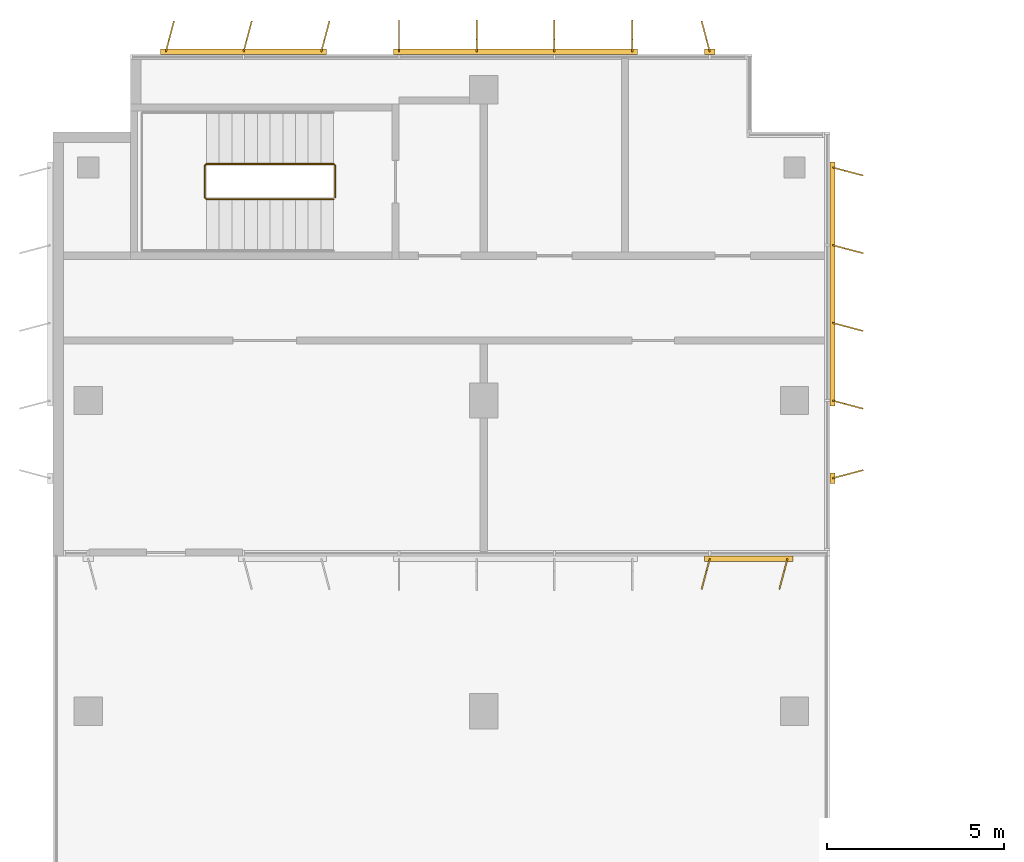
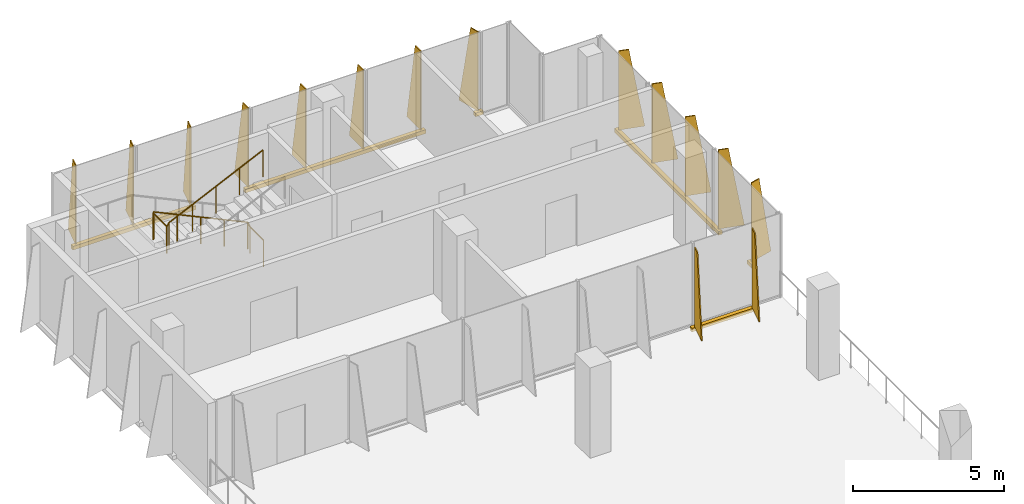
# One storey, part 15 of 15: 6 shading devices, 1 railing.
"""IFC4 building model written with IfcOpenShell, lengths in metres."""

import ifcopenshell
import ifcopenshell.guid

model = None  # the IFC model being written
_history = None  # IfcOwnerHistory: only IFC2X3 demands one
_inside = {}  # id of a spatial element -> (the spatial element, [elements in it])
_under = {}  # id of a project, library or spatial element -> (it, [spatial elements below it])
_declared = {}  # id of a project -> (the project, [libraries it declares])
_typed = {}  # id of a type object -> (the type object, [elements of that type])
_made_of = {}  # id of a material, layer set ... -> (it, [elements and type objects made of it])


def new_model(schema):
    """Start an empty IFC model of exactly this schema.

    Asked for "IFC4X3", IfcOpenShell would pick the latest addendum, in which some entities
    have other attributes; the version numbers below select the first issue.
    IFC2X3 requires an IfcOwnerHistory on every rooted entity: one is made here for all.
    """
    global model, _history
    if schema == "IFC4X3":
        model = ifcopenshell.file(schema_version=(4, 3, 0, 0))
    else:
        model = ifcopenshell.file(schema=schema)
    _inside.clear()
    _under.clear()
    _declared.clear()
    _typed.clear()
    _made_of.clear()
    _history = None
    if model.schema == "IFC2X3":
        org = make("IfcOrganization", Name="unknown")
        user = make(
            "IfcPersonAndOrganization",
            ThePerson=make("IfcPerson", FamilyName="unknown"),
            TheOrganization=org,
        )
        app = make(
            "IfcApplication",
            ApplicationDeveloper=org,
            Version="unknown",
            ApplicationFullName="unknown",
            ApplicationIdentifier="unknown",
        )
        _history = make(
            "IfcOwnerHistory",
            OwningUser=user,
            OwningApplication=app,
            ChangeAction="ADDED",
            CreationDate=0,
        )
    return model


def make(cls, **values):
    """One entity of the class cls with the attributes given. An attribute that is None is left unset."""
    return model.create_entity(
        cls, **{name: value for name, value in values.items() if value is not None}
    )


def rooted(cls, **values):
    """An entity with a GlobalId (a new one), such as an element, a storey or a relation."""
    return make(cls, GlobalId=ifcopenshell.guid.new(), OwnerHistory=_history, **values)


def si_unit(unit_type, name, prefix=None):
    """IfcSIUnit, for example si_unit("LENGTHUNIT", "METRE", prefix="MILLI")."""
    return make("IfcSIUnit", UnitType=unit_type, Prefix=prefix, Name=name)


def assignment(units):
    """IfcUnitAssignment: the units of a project."""
    return None if units is None else make("IfcUnitAssignment", Units=units)


def point(xyz):
    """IfcCartesianPoint."""
    return None if xyz is None else make("IfcCartesianPoint", Coordinates=xyz)


def direction(xyz):
    """IfcDirection."""
    return None if xyz is None else make("IfcDirection", DirectionRatios=xyz)


def frame(location, z_axis=None, x_axis=None):
    """IfcAxis2Placement3D, a coordinate frame: its origin and axes. An axis left out is left unset."""
    return make(
        "IfcAxis2Placement3D",
        Location=point(location),
        Axis=direction(z_axis),
        RefDirection=direction(x_axis),
    )


def frame_2d(location, x_axis=None):
    """IfcAxis2Placement2D, a coordinate frame in the plane: its origin and x axis."""
    return make(
        "IfcAxis2Placement2D", Location=point(location), RefDirection=direction(x_axis)
    )


def origin():
    """The frame at (0, 0, 0) with its axes left unset."""
    return frame((0.0, 0.0, 0.0))


def origin_2d():
    """The frame at (0, 0) in the plane with its x axis left unset."""
    return frame_2d((0.0, 0.0))


def place(relative_to, where):
    """IfcLocalPlacement: puts the frame where relative to a parent placement (None: the world)."""
    return make(
        "IfcLocalPlacement", PlacementRelTo=relative_to, RelativePlacement=where
    )


def context(
    kind, dimensions, precision=None, world=None, true_north=None, identifier=None
):
    """IfcGeometricRepresentationContext, for example the 3D "Model" context."""
    return make(
        "IfcGeometricRepresentationContext",
        ContextIdentifier=identifier,
        ContextType=kind,
        CoordinateSpaceDimension=dimensions,
        Precision=precision,
        WorldCoordinateSystem=world,
        TrueNorth=true_north,
    )


def subcontext(parent, identifier, kind, view, scale=None):
    """IfcGeometricRepresentationSubContext, for example "Body" below "Model"."""
    return make(
        "IfcGeometricRepresentationSubContext",
        ContextIdentifier=identifier,
        ContextType=kind,
        ParentContext=parent,
        TargetScale=scale,
        TargetView=view,
    )


def project(units=None, contexts=None):
    """IfcProject with its units and contexts."""
    return rooted(
        "IfcProject",
        Name="project",
        RepresentationContexts=contexts,
        UnitsInContext=assignment(units),
    )


def spatial(cls, under=None, at=None, **own):
    """A site, building, storey or space (cls), placed at a placement, below another one or the project."""
    s = rooted(cls, ObjectPlacement=at, **own)
    if under is not None:
        _under.setdefault(under.id(), (under, []))[1].append(s)
    return s


def polyline(points):
    """IfcPolyline through the points."""
    return make("IfcPolyline", Points=[point(p) for p in points])


def profile(cls, at=None, kind="AREA", **sizes):
    """A parametric profile (cls). Its sizes go by their IFC names, for example OverallWidth=200.0."""
    return make(cls, ProfileType=kind, Position=at, **sizes)


def rectangle(**sizes):
    """IfcRectangleProfileDef."""
    return profile("IfcRectangleProfileDef", **sizes)


def circle(**sizes):
    """IfcCircleProfileDef."""
    return profile("IfcCircleProfileDef", **sizes)


def outline(outer, holes=None, kind="AREA"):
    """IfcArbitraryClosedProfileDef: a profile drawn as a closed curve; with holes, ...WithVoids."""
    if holes is None:
        return make("IfcArbitraryClosedProfileDef", ProfileType=kind, OuterCurve=outer)
    return make(
        "IfcArbitraryProfileDefWithVoids",
        ProfileType=kind,
        OuterCurve=outer,
        InnerCurves=holes,
    )


def extrude(swept, where, along, depth):
    """IfcExtrudedAreaSolid: the profile swept, set in the frame where, extruded along a direction by depth."""
    return make(
        "IfcExtrudedAreaSolid",
        SweptArea=swept,
        Position=where,
        ExtrudedDirection=direction(along),
        Depth=depth,
    )


def shape(context_of_items, identifier, shape_type, items):
    """IfcShapeRepresentation: the items that make up one representation, for example the "Body"."""
    return make(
        "IfcShapeRepresentation",
        ContextOfItems=context_of_items,
        RepresentationIdentifier=identifier,
        RepresentationType=shape_type,
        Items=items,
    )


def source(mapping_origin, context_of_items, identifier, shape_type, items):
    """IfcRepresentationMap: a shape defined once, which mapped items show again and again."""
    return make(
        "IfcRepresentationMap",
        MappingOrigin=mapping_origin,
        MappedRepresentation=shape(context_of_items, identifier, shape_type, items),
    )


def transform(
    local_origin,
    x_axis=None,
    y_axis=None,
    z_axis=None,
    scale=None,
    scale2=None,
    scale3=None,
    uniform=True,
):
    """IfcCartesianTransformationOperator3D, or its non-uniform kind. x_axis, y_axis, z_axis: its Axis1, 2, 3."""
    if uniform:
        return make(
            "IfcCartesianTransformationOperator3D",
            Axis1=direction(x_axis),
            Axis2=direction(y_axis),
            LocalOrigin=point(local_origin),
            Scale=scale,
            Axis3=direction(z_axis),
        )
    return make(
        "IfcCartesianTransformationOperator3DnonUniform",
        Axis1=direction(x_axis),
        Axis2=direction(y_axis),
        LocalOrigin=point(local_origin),
        Scale=scale,
        Axis3=direction(z_axis),
        Scale2=scale2,
        Scale3=scale3,
    )


def mapped(mapping_source, mapping_target):
    """IfcMappedItem: shows the shape of a source again, moved by a transform."""
    return make(
        "IfcMappedItem", MappingSource=mapping_source, MappingTarget=mapping_target
    )


def material(Name=None, Category=None):
    """IfcMaterial."""
    return make("IfcMaterial", Name=Name, Category=Category)


def layer(
    of_material, thickness, ventilated=None, Name=None, Category=None, Priority=None
):
    """IfcMaterialLayer: one layer of a wall or slab, of a material (None: an air gap)."""
    return make(
        "IfcMaterialLayer",
        Material=of_material,
        LayerThickness=thickness,
        IsVentilated=ventilated,
        Name=Name,
        Category=Category,
        Priority=Priority,
    )


def layer_set(layers, Name=None):
    """IfcMaterialLayerSet."""
    return make("IfcMaterialLayerSet", MaterialLayers=layers, LayerSetName=Name)


def made_of(thing, what):
    """Note that an element or type object is made of a material, layer set ...; save() writes the relation."""
    if what is not None:
        _made_of.setdefault(what.id(), (what, []))[1].append(thing)
    return thing


def type_object(cls, material=None, **own):
    """A type object (cls), such as IfcWallType, which elements share."""
    return made_of(rooted(cls, **own), material)


def element(
    cls,
    number,
    at=None,
    inside=None,
    cuts=None,
    type_object=None,
    material=None,
    context=None,
    identifier="Body",
    shape_type=None,
    held_by="IfcProductDefinitionShape",
    body=None,
    shapes=None,
    **own,
):
    """One element of the class cls, such as IfcWall. Its Tag is "e" and its number.

    at: its placement. inside: the storey or other place that contains it. cuts: it is an
    opening in that element (IfcRelVoidsElement). A single representation is given by context,
    identifier, shape_type and body (its items); several are given by shapes. held_by: the class
    of the entity that holds the representations. save() writes the other relations.
    """
    e = rooted(cls, Tag="e%d" % number, ObjectPlacement=at, **own)
    if body is not None:
        shapes = [shape(context, identifier, shape_type, body)]
    if shapes is not None:
        e.Representation = make(held_by, Representations=shapes)
    if inside is not None:
        _inside.setdefault(inside.id(), (inside, []))[1].append(e)
    if cuts is not None:
        rooted(
            "IfcRelVoidsElement", RelatingBuildingElement=cuts, RelatedOpeningElement=e
        )
    if type_object is not None:
        _typed.setdefault(type_object.id(), (type_object, []))[1].append(e)
    return made_of(e, material)


def aggregate(whole, parts):
    """IfcRelAggregates: a whole, such as a stair, and the parts it consists of."""
    return rooted("IfcRelAggregates", RelatingObject=whole, RelatedObjects=parts)


def save(model, path):
    """Write the relations noted so far, then the file.

    IfcRelAggregates (storeys below a building ...), IfcRelContainedInSpatialStructure (elements
    in a storey), IfcRelDefinesByType, IfcRelAssociatesMaterial and IfcRelDeclares: one each for
    every whole, place, type object, material and project.
    """
    for whole, parts in _under.values():
        aggregate(whole, parts)
    for where, things in _inside.values():
        rooted(
            "IfcRelContainedInSpatialStructure",
            RelatedElements=things,
            RelatingStructure=where,
        )
    for kind, things in _typed.values():
        rooted("IfcRelDefinesByType", RelatedObjects=things, RelatingType=kind)
    for what, things in _made_of.values():
        rooted("IfcRelAssociatesMaterial", RelatedObjects=things, RelatingMaterial=what)
    for by, libraries in _declared.values():
        rooted("IfcRelDeclares", RelatingContext=by, RelatedDefinitions=libraries)
    model.write(path)


model = new_model("IFC4")

# Units and contexts
model_context = context("Model", 3, precision=1e-05, world=origin(), true_north=direction((0.0, 1.0)))
body_context = subcontext(model_context, "Body", "Model", "MODEL_VIEW")
ifc_project = project(units=[si_unit("LENGTHUNIT", "METRE"), si_unit("AREAUNIT", "SQUARE_METRE"), si_unit("VOLUMEUNIT", "CUBIC_METRE"), si_unit("PLANEANGLEUNIT", "RADIAN"), si_unit("MASSUNIT", "GRAM", prefix="KILO")], contexts=[model_context])

# Site, building, storey
site_placement = place(None, origin())
site = spatial("IfcSite", under=ifc_project, at=site_placement, CompositionType="ELEMENT")
building_placement = place(site_placement, origin())
building = spatial("IfcBuilding", under=site, at=building_placement, Name="Kemantara Hotel Tower", CompositionType="ELEMENT")
storey_placement = place(building_placement, frame((0.0, 0.0, 241.300048828125)))
storey = spatial("IfcBuildingStorey", under=building, at=storey_placement, Name="L60", CompositionType="ELEMENT", Elevation=241.300048828125)

# Railing
ifc_material_1 = material(Name="Stainless steel balustrade", Category="steel")
railing_type = type_object("IfcRailingType", Name="Stair guard 1100 mm", PredefinedType="GUARDRAIL", material=ifc_material_1)
railing_placement = place(storey_placement, frame((7.949951171875, 59.5, 3.699951171875)))
element("IfcRailing", 1, at=railing_placement, inside=storey, type_object=railing_type, Name="L60 ST4 stair guard 1", PredefinedType="GUARDRAIL", context=body_context, shape_type="SweptSolid", body=[
    extrude(circle(Radius=0.02392578125, at=origin_2d()), frame((0.0, 0.0, 1.076171875), z_axis=(-0.905994681025, 0.0, -0.423289071386), x_axis=(0.0, -1.0, 0.0)), (0.0, 0.0, 1.0), 3.973388671875),
    extrude(circle(Radius=0.02392578125, at=origin_2d()), frame((-3.599853515625, 0.0, -0.60595703125), z_axis=(-0.274243871929, 0.274243871929, -0.92172696468), x_axis=(-0.707106781187, -0.707106781187, 0.0)), (0.0, 0.0, 1.0), 0.1826171875),
    extrude(circle(Radius=0.02392578125, at=origin_2d()), frame((-3.64990234375, 0.050048828125, -0.77392578125), z_axis=(0.0, 1.0, 0.0), x_axis=(-1.0, 0.0, 0.0)), (0.0, 0.0, 1.0), 0.89990234375),
    extrude(circle(Radius=0.02392578125, at=origin_2d()), frame((-3.64990234375, 0.949951171875, -0.77392578125), z_axis=(0.707106781187, 0.707106781187, 0.0), x_axis=(-0.707106781187, 0.707106781187, 0.0)), (0.0, 0.0, 1.0), 0.07080078125),
    extrude(circle(Radius=0.02392578125, at=origin_2d()), frame((-3.599853515625, 1.0, -0.77392578125), z_axis=(0.906018243939, 0.0, -0.423238634402), x_axis=(0.0, 1.0, 0.0)), (0.0, 0.0, 1.0), 3.973388671875),
    extrude(circle(Radius=0.02392578125, at=origin_2d()), frame((0.0, 1.0, -2.45556640625), z_axis=(0.274243871929, -0.274243871929, -0.92172696468), x_axis=(0.707106781187, 0.707106781187, 0.0)), (0.0, 0.0, 1.0), 0.1826171875),
    extrude(circle(Radius=0.02392578125, at=origin_2d()), frame((0.050048828125, 0.949951171875, -2.6240234375), z_axis=(0.0, -1.0, 0.0), x_axis=(1.0, 0.0, 0.0)), (0.0, 0.0, 1.0), 0.89990234375),
    extrude(circle(Radius=0.02099609375, at=origin_2d()), origin(), (0.0, 0.0, 1.0), 1.052001953125),
    extrude(circle(Radius=0.02099609375, at=origin_2d()), frame((-0.89990234375, 0.0, -0.42041015625)), (0.0, 0.0, 1.0), 1.052001953125),
    extrude(circle(Radius=0.02099609375, at=origin_2d()), frame((-1.7998046875, 0.0, -0.8408203125)), (0.0, 0.0, 1.0), 1.052001953125),
    extrude(circle(Radius=0.02099609375, at=origin_2d()), frame((-2.699951171875, 0.0, -1.261474609375)), (0.0, 0.0, 1.0), 1.052001953125),
    extrude(circle(Radius=0.02099609375, at=origin_2d()), frame((-3.599853515625, 0.0, -1.681884765625)), (0.0, 0.0, 1.0), 1.052001953125),
    extrude(circle(Radius=0.02099609375, at=origin_2d()), frame((-3.64990234375, 0.050048828125, -1.85009765625)), (0.0, 0.0, 1.0), 1.052001953125),
    extrude(circle(Radius=0.02099609375, at=origin_2d()), frame((-3.64990234375, 0.949951171875, -1.85009765625)), (0.0, 0.0, 1.0), 1.052001953125),
    extrude(circle(Radius=0.02099609375, at=origin_2d()), frame((-3.599853515625, 1.0, -1.85009765625)), (0.0, 0.0, 1.0), 1.052001953125),
    extrude(circle(Radius=0.02099609375, at=origin_2d()), frame((-2.699951171875, 1.0, -2.2705078125)), (0.0, 0.0, 1.0), 1.052001953125),
    extrude(circle(Radius=0.02099609375, at=origin_2d()), frame((-1.7998046875, 1.0, -2.69091796875)), (0.0, 0.0, 1.0), 1.052001953125),
    extrude(circle(Radius=0.02099609375, at=origin_2d()), frame((-0.89990234375, 1.0, -3.111328125)), (0.0, 0.0, 1.0), 1.052001953125),
    extrude(circle(Radius=0.02099609375, at=origin_2d()), frame((0.0, 1.0, -3.53173828125)), (0.0, 0.0, 1.0), 1.052001953125),
    extrude(circle(Radius=0.02099609375, at=origin_2d()), frame((0.050048828125, 0.949951171875, -3.699951171875)), (0.0, 0.0, 1.0), 1.052001953125),
    extrude(circle(Radius=0.02099609375, at=origin_2d()), frame((0.050048828125, 0.050048828125, -3.699951171875)), (0.0, 0.0, 1.0), 1.052001953125),
])

# Shading devices
ifc_material_2 = material(Name="Perforated aluminium plate 4 mm bronze anodised", Category="aluminium")
ifc_layer_1 = layer(ifc_material_2, 0.0400390625)
ifc_layer_set_1 = layer_set([ifc_layer_1], Name="Perforated aluminium plate 4 mm bronze anodised")
shading_device_type_1 = type_object("IfcShadingDeviceType", Name="SCREEN FIN CASSETTE, 3 BLADES AT -15.0 DEG, 3200 HIGH", PredefinedType="USERDEFINED", material=ifc_layer_set_1)
shared_shape_1 = source(origin(), body_context, "Body", "SweptSolid", [
    extrude(rectangle(XDim=4.699951171875, YDim=0.14990234375, at=origin_2d()), frame((2.199951171875, -0.074951171875, -0.14990234375), z_axis=(0.0, 0.0, 1.0), x_axis=(1.0, 0.0, 0.0)), (0.0, 0.0, 1.0), 0.14990234375),
    extrude(outline(polyline([(0.0, 0.0), (0.89990234375, 0.0), (0.35009765625, 3.199951171875), (0.0, 3.199951171875), (0.0, 0.0)])), frame((0.019287109375, -0.080078125, 0.0), z_axis=(-0.966437683387, 0.256901156343, 0.0), x_axis=(-0.256901156343, -0.966437683387, 0.0)), (0.0, 0.0, 1.0), 0.039794921875),
    extrude(outline(polyline([(0.0, 0.0), (0.89990234375, 0.0), (0.35009765625, 3.199951171875), (0.0, 3.199951171875), (0.0, 0.0)])), frame((2.21923828125, -0.080078125, 0.0), z_axis=(-0.966437683387, 0.256901156343, 0.0), x_axis=(-0.256901156343, -0.966437683387, 0.0)), (0.0, 0.0, 1.0), 0.039794921875),
    extrude(outline(polyline([(0.0, 0.0), (0.89990234375, 0.0), (0.35009765625, 3.199951171875), (0.0, 3.199951171875), (0.0, 0.0)])), frame((4.41943359375, -0.080078125, 0.0), z_axis=(-0.966837822169, 0.255391122837, 0.0), x_axis=(-0.255391122837, -0.966837822169, 0.0)), (0.0, 0.0, 1.0), 0.0400390625),
])
shading_device_1_placement = place(storey_placement, frame((7.60009765625, 63.60009765625, 0.099853515625), z_axis=(0.0, 0.0, 1.0), x_axis=(-1.0, 0.0, 0.0)))
element("IfcShadingDevice", 2, at=shading_device_1_placement, inside=storey, type_object=shading_device_type_1, Name="SCREEN FIN CASSETTE L60 T4P-R16-3", ObjectType="SCREEN FIN", PredefinedType="USERDEFINED", context=body_context, shape_type="MappedRepresentation", body=[
    mapped(shared_shape_1, transform((0.0, 0.0, 0.0))),
])
ifc_layer_2 = layer(ifc_material_2, 0.0400390625)
ifc_layer_set_2 = layer_set([ifc_layer_2], Name="Perforated aluminium plate 4 mm bronze anodised")
shading_device_type_2 = type_object("IfcShadingDeviceType", Name="SCREEN FIN CASSETTE, 4 BLADES AT +0.0 DEG, 3200 HIGH", PredefinedType="USERDEFINED", material=ifc_layer_set_2)
shared_shape_2 = source(origin(), body_context, "Body", "SweptSolid", [
    extrude(rectangle(XDim=6.89990234375, YDim=0.14990234375, at=origin_2d()), frame((3.300048828125, -0.074951171875, -0.14990234375), z_axis=(0.0, 0.0, 1.0), x_axis=(1.0, 0.0, 0.0)), (0.0, 0.0, 1.0), 0.14990234375),
    extrude(outline(polyline([(0.0, 0.0), (0.89990234375, 0.0), (0.35009765625, 3.199951171875), (0.0, 3.199951171875), (0.0, 0.0)])), frame((0.02001953125, -0.074951171875, 0.0), z_axis=(-1.0, 0.0, 0.0), x_axis=(0.0, -1.0, 0.0)), (0.0, 0.0, 1.0), 0.0400390625),
    extrude(outline(polyline([(0.0, 0.0), (0.89990234375, 0.0), (0.35009765625, 3.199951171875), (0.0, 3.199951171875), (0.0, 0.0)])), frame((2.219970703125, -0.074951171875, 0.0), z_axis=(-1.0, 0.0, 0.0), x_axis=(0.0, -1.0, 0.0)), (0.0, 0.0, 1.0), 0.0400390625),
    extrude(outline(polyline([(0.0, 0.0), (0.89990234375, 0.0), (0.35009765625, 3.199951171875), (0.0, 3.199951171875), (0.0, 0.0)])), frame((4.419921875, -0.074951171875, 0.0), z_axis=(-1.0, 0.0, 0.0), x_axis=(0.0, -1.0, 0.0)), (0.0, 0.0, 1.0), 0.0400390625),
    extrude(outline(polyline([(0.0, 0.0), (0.89990234375, 0.0), (0.35009765625, 3.199951171875), (0.0, 3.199951171875), (0.0, 0.0)])), frame((6.6201171875, -0.074951171875, 0.0), z_axis=(-1.0, 0.0, 0.0), x_axis=(0.0, -1.0, 0.0)), (0.0, 0.0, 1.0), 0.0400390625),
])
shading_device_2_placement = place(storey_placement, frame((16.39990234375, 63.60009765625, 0.099853515625), z_axis=(0.0, 0.0, 1.0), x_axis=(-1.0, 0.0, 0.0)))
element("IfcShadingDevice", 3, at=shading_device_2_placement, inside=storey, type_object=shading_device_type_2, Name="SCREEN FIN CASSETTE L60 T4P-R16-2", ObjectType="SCREEN FIN", PredefinedType="USERDEFINED", context=body_context, shape_type="MappedRepresentation", body=[
    mapped(shared_shape_2, transform((0.0, 0.0, 0.0))),
])
ifc_layer_3 = layer(ifc_material_2, 0.0400390625)
ifc_layer_set_3 = layer_set([ifc_layer_3], Name="Perforated aluminium plate 4 mm bronze anodised")
shading_device_type_3 = type_object("IfcShadingDeviceType", Name="SCREEN FIN CASSETTE, 4 BLADES AT -15.0 DEG, 3200 HIGH", PredefinedType="USERDEFINED", material=ifc_layer_set_3)
shared_shape_3 = source(origin(), body_context, "Body", "SweptSolid", [
    extrude(rectangle(XDim=6.89990234375, YDim=0.14990234375, at=origin_2d()), frame((3.300048828125, -0.074951171875, -0.14990234375), z_axis=(0.0, 0.0, 1.0), x_axis=(1.0, 0.0, 0.0)), (0.0, 0.0, 1.0), 0.14990234375),
    extrude(outline(polyline([(0.0, 0.0), (0.89990234375, 0.0), (0.35009765625, 3.199951171875), (0.0, 3.199951171875), (0.0, 0.0)])), frame((0.019287109375, -0.080078125, 0.0), z_axis=(-0.966437683387, 0.256901156343, 0.0), x_axis=(-0.256901156343, -0.966437683387, 0.0)), (0.0, 0.0, 1.0), 0.039794921875),
    extrude(outline(polyline([(0.0, 0.0), (0.89990234375, 0.0), (0.35009765625, 3.199951171875), (0.0, 3.199951171875), (0.0, 0.0)])), frame((2.21923828125, -0.080078125, 0.0), z_axis=(-0.966437683387, 0.256901156343, 0.0), x_axis=(-0.256901156343, -0.966437683387, 0.0)), (0.0, 0.0, 1.0), 0.039794921875),
    extrude(outline(polyline([(0.0, 0.0), (0.89990234375, 0.0), (0.35009765625, 3.199951171875), (0.0, 3.199951171875), (0.0, 0.0)])), frame((4.41943359375, -0.080078125, 0.0), z_axis=(-0.966837822169, 0.255391122837, 0.0), x_axis=(-0.255391122837, -0.966837822169, 0.0)), (0.0, 0.0, 1.0), 0.0400390625),
    extrude(outline(polyline([(0.0, 0.0), (0.89990234375, 0.0), (0.35009765625, 3.199951171875), (0.0, 3.199951171875), (0.0, 0.0)])), frame((6.619384765625, -0.080078125, 0.0), z_axis=(-0.966837822169, 0.255391122837, 0.0), x_axis=(-0.255391122837, -0.966837822169, 0.0)), (0.0, 0.0, 1.0), 0.0400390625),
])
shading_device_3_placement = place(storey_placement, frame((22.0, 53.800048828125, 0.099853515625), z_axis=(0.0, 0.0, 1.0), x_axis=(0.0, 1.0, 0.0)))
element("IfcShadingDevice", 4, at=shading_device_3_placement, inside=storey, type_object=shading_device_type_3, Name="SCREEN FIN CASSETTE L60 T4P-R13-2", ObjectType="SCREEN FIN", PredefinedType="USERDEFINED", context=body_context, shape_type="MappedRepresentation", body=[
    mapped(shared_shape_3, transform((0.0, 0.0, 0.0))),
])
ifc_layer_4 = layer(ifc_material_2, 0.0400390625)
ifc_layer_set_4 = layer_set([ifc_layer_4], Name="Perforated aluminium plate 4 mm bronze anodised")
shading_device_type_4 = type_object("IfcShadingDeviceType", Name="SCREEN FIN CASSETTE, 1 BLADE AT +15.0 DEG, 3200 HIGH", PredefinedType="USERDEFINED", material=ifc_layer_set_4)
shared_shape_4 = source(origin(), body_context, "Body", "SweptSolid", [
    extrude(rectangle(XDim=0.300048828125, YDim=0.14990234375, at=origin_2d()), frame((0.0, -0.074951171875, -0.14990234375), z_axis=(0.0, 0.0, 1.0), x_axis=(1.0, 0.0, 0.0)), (0.0, 0.0, 1.0), 0.14990234375),
    extrude(outline(polyline([(0.0, 0.0), (0.89990234375, 0.0), (0.35009765625, 3.199951171875), (0.0, 3.199951171875), (0.0, 0.0)])), frame((0.019287109375, -0.06982421875, 0.0), z_axis=(-0.966437683387, -0.256901156343, 0.0), x_axis=(0.256901156343, -0.966437683387, 0.0)), (0.0, 0.0, 1.0), 0.039794921875),
])
for number, where, z_axis, x_axis, name in (
    (5, (22.0, 51.60009765625, 0.099853515625), (0.0, 0.0, 1.0), (0.0, 1.0, 0.0), "SCREEN FIN CASSETTE L60 T4P-R13-1"),
    (6, (18.60009765625, 63.60009765625, 0.099853515625), (0.0, 0.0, 1.0), (-1.0, 0.0, 0.0), "SCREEN FIN CASSETTE L60 T4P-R16-1"),
):
    element("IfcShadingDevice", number, at=place(storey_placement, frame(where, z_axis=z_axis, x_axis=x_axis)), inside=storey, type_object=shading_device_type_4, Name=name, ObjectType="SCREEN FIN", PredefinedType="USERDEFINED", context=body_context, shape_type="MappedRepresentation", body=[
        mapped(shared_shape_4, transform((0.0, 0.0, 0.0))),
    ])
ifc_layer_5 = layer(ifc_material_2, 0.0400390625)
ifc_layer_set_5 = layer_set([ifc_layer_5], Name="Perforated aluminium plate 4 mm bronze anodised")
shading_device_type_5 = type_object("IfcShadingDeviceType", Name="SCREEN FIN CASSETTE, 2 BLADES AT -15.0 DEG, 3200 HIGH", PredefinedType="USERDEFINED", material=ifc_layer_set_5)
shared_shape_5 = source(origin(), body_context, "Body", "SweptSolid", [
    extrude(rectangle(XDim=2.5, YDim=0.14990234375, at=origin_2d()), frame((1.10009765625, -0.074951171875, -0.14990234375), z_axis=(0.0, 0.0, 1.0), x_axis=(1.0, 0.0, 0.0)), (0.0, 0.0, 1.0), 0.14990234375),
    extrude(outline(polyline([(0.0, 0.0), (0.89990234375, 0.0), (0.35009765625, 3.199951171875), (0.0, 3.199951171875), (0.0, 0.0)])), frame((0.019287109375, -0.080078125, 0.0), z_axis=(-0.966437683387, 0.256901156343, 0.0), x_axis=(-0.256901156343, -0.966437683387, 0.0)), (0.0, 0.0, 1.0), 0.039794921875),
    extrude(outline(polyline([(0.0, 0.0), (0.89990234375, 0.0), (0.35009765625, 3.199951171875), (0.0, 3.199951171875), (0.0, 0.0)])), frame((2.21923828125, -0.080078125, 0.0), z_axis=(-0.966437683387, 0.256901156343, 0.0), x_axis=(-0.256901156343, -0.966437683387, 0.0)), (0.0, 0.0, 1.0), 0.039794921875),
])
shading_device_4_placement = place(storey_placement, frame((18.60009765625, 49.39990234375, 0.099853515625), z_axis=(0.0, 0.0, 1.0), x_axis=(1.0, 0.0, 0.0)))
element("IfcShadingDevice", 7, at=shading_device_4_placement, inside=storey, type_object=shading_device_type_5, Name="SCREEN FIN CASSETTE L60 T4P-R12-4", ObjectType="SCREEN FIN", PredefinedType="USERDEFINED", context=body_context, shape_type="MappedRepresentation", body=[
    mapped(shared_shape_5, transform((0.0, 0.0, 0.0))),
])

save(model, "model.ifc")
